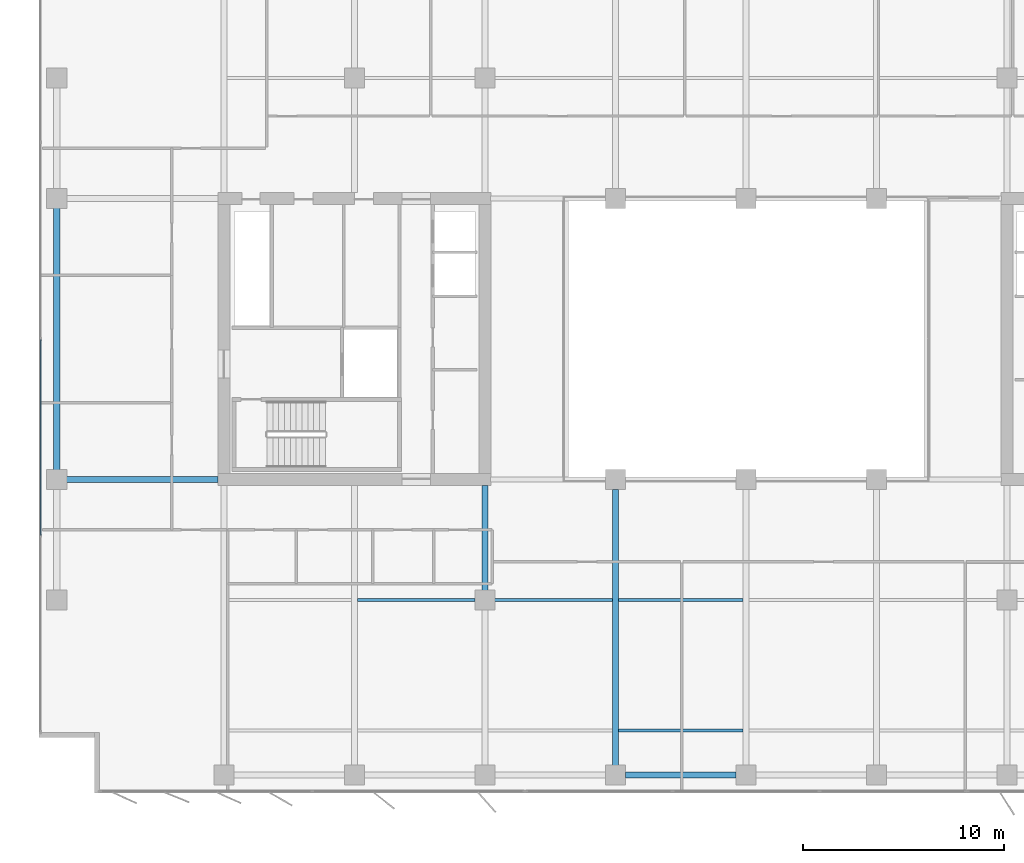
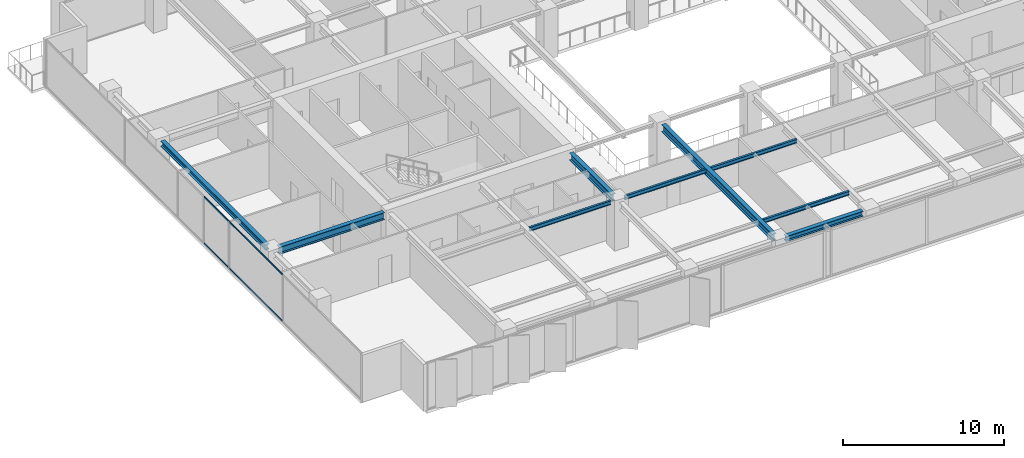
# One storey, part 3 of 22: 9 beams, 2 members, 1 element without a shape of its own.
"""IFC4 building model written with IfcOpenShell, lengths in metres."""

from ifc_helpers import new_model, si_unit, direction, frame, origin, origin_2d, place, context, subcontext, project, spatial, rectangle, i_section, extrude, material, layer, layer_set, material_profile, profile_set, type_object, element, aggregate, save


model = new_model("IFC4")

# Units and contexts
model_context = context("Model", 3, precision=1e-05, world=origin(), true_north=direction((0.0, 1.0)))
body_context = subcontext(model_context, "Body", "Model", "MODEL_VIEW")
ifc_project = project(units=[si_unit("LENGTHUNIT", "METRE"), si_unit("AREAUNIT", "SQUARE_METRE"), si_unit("VOLUMEUNIT", "CUBIC_METRE"), si_unit("PLANEANGLEUNIT", "RADIAN"), si_unit("MASSUNIT", "GRAM", prefix="KILO")], contexts=[model_context])

# Site, building, storey
site_placement = place(None, origin())
site = spatial("IfcSite", under=ifc_project, at=site_placement, CompositionType="ELEMENT")
building_placement = place(site_placement, origin())
building = spatial("IfcBuilding", under=site, at=building_placement, Name="Putna Gate Headquarters", CompositionType="ELEMENT")
storey_placement = place(building_placement, frame((0.0, 0.0, 151.800048828125)))
storey = spatial("IfcBuildingStorey", under=building, at=storey_placement, Name="L37", CompositionType="ELEMENT", Elevation=151.800048828125)

# Beams
ifc_material_1 = material(Name="Steel S355J2", Category="steel")
ifc_material_profile_1 = material_profile(ifc_material_1, i_section(OverallWidth=0.300048828125, OverallDepth=0.550048828125, WebThickness=0.014892578125, FlangeThickness=0.029052734375, at=origin_2d()), Name="Steel S355J2")
ifc_profile_set_1 = profile_set([ifc_material_profile_1], Name="Steel S355J2")
beam_type_1 = type_object("IfcBeamType", Name="BM-GIRD-Z3-HEB550", PredefinedType="USERDEFINED", material=ifc_profile_set_1)
beam_1_placement = place(storey_placement, frame((5.16796875, 19.0, 3.296875), z_axis=(1.0, 0.0, 0.0), x_axis=(0.0, 1.0, 0.0)))
element("IfcBeam", 1, at=beam_1_placement, inside=storey, type_object=beam_type_1, Name="L37 West Wing Girder Y19", ObjectType="GIRDER", PredefinedType="USERDEFINED", context=body_context, shape_type="SweptSolid", body=[
    extrude(i_section(OverallWidth=0.300048828125, OverallDepth=0.550048828125, WebThickness=0.014892578125, FlangeThickness=0.029052734375, at=origin_2d()), origin(), (0.0, 0.0, 1.0), 7.547119140625),
])
beam_2_placement = place(storey_placement, frame((26.0, 13.488037109375, 3.296875), z_axis=(0.0, 1.0, 0.0), x_axis=(-1.0, 0.0, 0.0)))
element("IfcBeam", 2, at=beam_2_placement, inside=storey, type_object=beam_type_1, Name="L37 South Primary Girder X26-2", ObjectType="GIRDER", PredefinedType="USERDEFINED", context=body_context, shape_type="SweptSolid", body=[
    extrude(i_section(OverallWidth=0.300048828125, OverallDepth=0.550048828125, WebThickness=0.014892578125, FlangeThickness=0.029052734375, at=origin_2d()), origin(), (0.0, 0.0, 1.0), 5.22705078125),
])
beam_3_placement = place(storey_placement, frame((32.5, 4.76806640625, 3.296875), z_axis=(0.0, 1.0, 0.0), x_axis=(-1.0, 0.0, 0.0)))
element("IfcBeam", 3, at=beam_3_placement, inside=storey, type_object=beam_type_1, Name="L37 South Primary Girder X32", ObjectType="GIRDER", PredefinedType="USERDEFINED", context=body_context, shape_type="SweptSolid", body=[
    extrude(i_section(OverallWidth=0.300048828125, OverallDepth=0.550048828125, WebThickness=0.014892578125, FlangeThickness=0.029052734375, at=origin_2d()), origin(), (0.0, 0.0, 1.0), 13.743896484375),
])
ifc_material_profile_2 = material_profile(ifc_material_1, i_section(OverallWidth=0.14990234375, OverallDepth=0.300048828125, WebThickness=0.007080078125, FlangeThickness=0.0107421875, at=origin_2d()), Name="Steel S355J2")
ifc_profile_set_2 = profile_set([ifc_material_profile_2], Name="Steel S355J2")
beam_type_2 = type_object("IfcBeamType", Name="BM-SEC-Z3-IPE300", PredefinedType="JOIST", material=ifc_profile_set_2)
for number, where, z_axis, x_axis, name in (
    (4, (19.654052734375, 13.0, 3.421875), (1.0, 0.0, 0.0), (0.0, 1.0, 0.0), "L37 South Secondary Beam 2"),
    (5, (26.488037109375, 13.0, 3.421875), (1.0, 0.0, 0.0), (0.0, 1.0, 0.0), "L37 South Secondary Beam 3"),
):
    element("IfcBeam", number, at=place(storey_placement, frame(where, z_axis=z_axis, x_axis=x_axis)), inside=storey, type_object=beam_type_2, Name=name, PredefinedType="JOIST", context=body_context, shape_type="SweptSolid", body=[
        extrude(i_section(OverallWidth=0.14990234375, OverallDepth=0.300048828125, WebThickness=0.007080078125, FlangeThickness=0.0107421875, at=origin_2d()), origin(), (0.0, 0.0, 1.0), 5.85791015625),
    ])
for number, where, z_axis, x_axis, name in (
    (6, (32.654052734375, 6.5, 3.421875), (1.0, 0.0, 0.0), (0.0, 1.0, 0.0), "L37 South Secondary Beam 4"),
    (7, (32.654052734375, 13.0, 3.421875), (1.0, 0.0, 0.0), (0.0, 1.0, 0.0), "L37 South Secondary Beam 4"),
):
    element("IfcBeam", number, at=place(storey_placement, frame(where, z_axis=z_axis, x_axis=x_axis)), inside=storey, type_object=beam_type_2, Name=name, PredefinedType="JOIST", context=body_context, shape_type="SweptSolid", body=[
        extrude(i_section(OverallWidth=0.14990234375, OverallDepth=0.300048828125, WebThickness=0.007080078125, FlangeThickness=0.0107421875, at=origin_2d()), origin(), (0.0, 0.0, 1.0), 6.19189453125),
    ])
ifc_material_profile_3 = material_profile(ifc_material_1, i_section(OverallWidth=0.300048828125, OverallDepth=0.39990234375, WebThickness=0.013427734375, FlangeThickness=0.02392578125, at=origin_2d()), Name="Steel S355J2")
ifc_profile_set_3 = profile_set([ifc_material_profile_3], Name="Steel S355J2")
beam_type_3 = type_object("IfcBeamType", Name="BM-SPAN-Z3-HEB400", PredefinedType="SPANDREL", material=ifc_profile_set_3)
beam_4_placement = place(storey_placement, frame((32.988037109375, 4.280029296875, 3.3720703125), z_axis=(1.0, 0.0, 0.0), x_axis=(0.0, 1.0, 0.0)))
element("IfcBeam", 8, at=beam_4_placement, inside=storey, type_object=beam_type_3, Name="L37 S Perimeter Spandrel 4", PredefinedType="SPANDREL", context=body_context, shape_type="SweptSolid", body=[
    extrude(i_section(OverallWidth=0.300048828125, OverallDepth=0.39990234375, WebThickness=0.013427734375, FlangeThickness=0.02392578125, at=origin_2d()), origin(), (0.0, 0.0, 1.0), 5.52392578125),
])
beam_5_placement = place(storey_placement, frame((4.679931640625, 19.488037109375, 3.3720703125), z_axis=(0.0, 1.0, 0.0), x_axis=(-1.0, 0.0, 0.0)))
element("IfcBeam", 9, at=beam_5_placement, inside=storey, type_object=beam_type_3, Name="L37 W End Spandrel 2", PredefinedType="SPANDREL", context=body_context, shape_type="SweptSolid", body=[
    extrude(i_section(OverallWidth=0.300048828125, OverallDepth=0.39990234375, WebThickness=0.013427734375, FlangeThickness=0.02392578125, at=origin_2d()), origin(), (0.0, 0.0, 1.0), 13.02392578125),
])

# Curtain wall, members
ifc_material_2 = material(Name="Anodised bronze aluminium curtain wall", Category="aluminium")
ifc_layer = layer(ifc_material_2, 0.159912109375)
ifc_layer_set = layer_set([ifc_layer], Name="Anodised bronze aluminium curtain wall")
curtain_wall_type = type_object("IfcCurtainWallType", Name="CW-SYS-Z3", PredefinedType="USERDEFINED", material=ifc_layer_set)
curtain_wall_placement = place(storey_placement, origin())
curtain_wall = element("IfcCurtainWall", 10, at=curtain_wall_placement, inside=storey, type_object=curtain_wall_type, Name="L37 West Curtain Wall", ObjectType="STICK CURTAIN WALL", PredefinedType="USERDEFINED")
ifc_material_3 = material(Name="Anodised bronze aluminium EN AW-6060", Category="aluminium")
ifc_material_profile_4 = material_profile(ifc_material_3, rectangle(XDim=0.06005859375, YDim=0.10009765625, at=origin_2d()), Name="Anodised bronze aluminium EN AW-6060")
ifc_profile_set_4 = profile_set([ifc_material_profile_4], Name="Anodised bronze aluminium EN AW-6060")
member_type = type_object("IfcMemberType", Name="TRAN-CWT-3", PredefinedType="USERDEFINED", material=ifc_profile_set_4)
member_1_placement = place(storey_placement, frame((3.8798828125, 16.232421875, 0.030029296875), z_axis=(0.0, 1.0, 0.0), x_axis=(-1.0, 0.0, 0.0)))
member_1 = element("IfcMember", 11, at=member_1_placement, type_object=member_type, Name="CWS-3 transom 2.1", ObjectType="TRANSOM", PredefinedType="USERDEFINED", context=body_context, shape_type="SweptSolid", body=[
    extrude(rectangle(XDim=0.06005859375, YDim=0.10009765625, at=origin_2d()), origin(), (0.0, 0.0, 1.0), 9.735107421875),
])
member_2_placement = place(storey_placement, frame((3.8798828125, 16.232421875, 3.5419921875), z_axis=(0.0, 1.0, 0.0), x_axis=(-1.0, 0.0, 0.0)))
member_2 = element("IfcMember", 12, at=member_2_placement, type_object=member_type, Name="CWS-3 transom 2.2", ObjectType="TRANSOM", PredefinedType="USERDEFINED", context=body_context, shape_type="SweptSolid", body=[
    extrude(rectangle(XDim=0.06005859375, YDim=0.10009765625, at=origin_2d()), origin(), (0.0, 0.0, 1.0), 9.735107421875),
])
aggregate(curtain_wall, [member_1, member_2])

save(model, "model.ifc")
